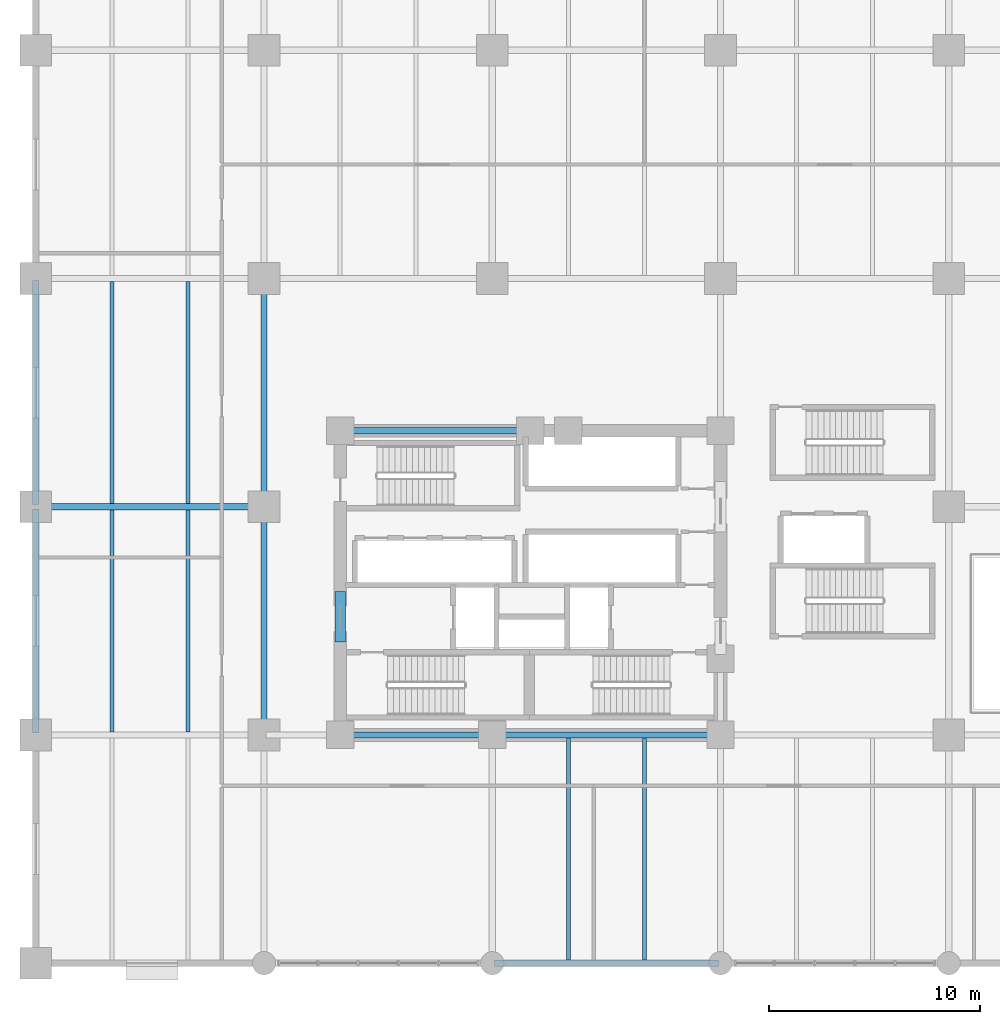
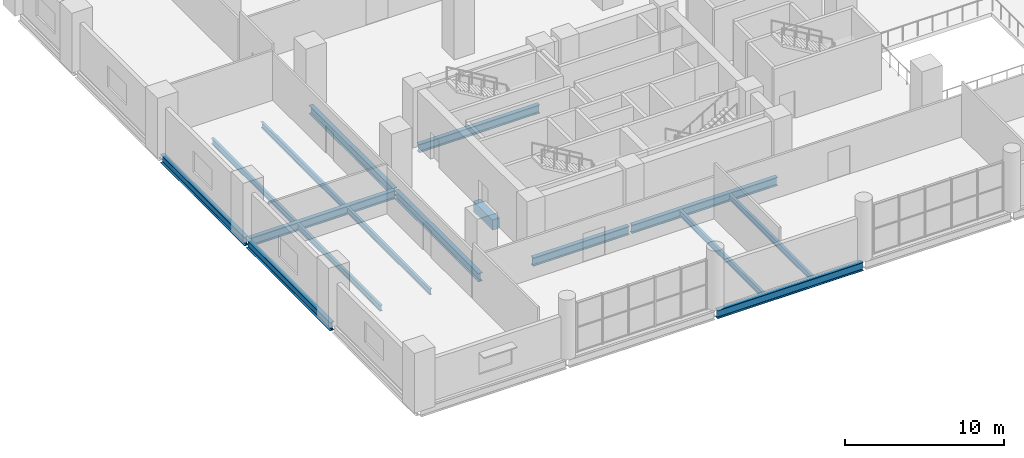
# One storey, part 4 of 16: 16 beams.
"""IFC4 building model written with IfcOpenShell, lengths in metres."""

from ifc_helpers import new_model, si_unit, direction, frame, origin, origin_2d, place, context, subcontext, project, spatial, rectangle, i_section, extrude, material, material_profile, profile_set, type_object, element, save


model = new_model("IFC4")

# Units and contexts
model_context = context("Model", 3, precision=1e-05, world=origin(), true_north=direction((0.0, 1.0)))
body_context = subcontext(model_context, "Body", "Model", "MODEL_VIEW")
ifc_project = project(units=[si_unit("LENGTHUNIT", "METRE"), si_unit("AREAUNIT", "SQUARE_METRE"), si_unit("VOLUMEUNIT", "CUBIC_METRE"), si_unit("PLANEANGLEUNIT", "RADIAN"), si_unit("MASSUNIT", "GRAM", prefix="KILO")], contexts=[model_context])

# Site, building, storey
site_placement = place(None, origin())
site = spatial("IfcSite", under=ifc_project, at=site_placement, CompositionType="ELEMENT")
building_placement = place(site_placement, origin())
building = spatial("IfcBuilding", under=site, at=building_placement, Name="Solnavia Interchange Tower", CompositionType="ELEMENT")
storey_placement = place(building_placement, frame((0.0, 0.0, 10.199951171875)))
storey = spatial("IfcBuildingStorey", under=building, at=storey_placement, Name="L02", CompositionType="ELEMENT", Elevation=10.199951171875)

# Beams
ifc_material_1 = material(Name="Concrete C50/60", Category="concrete")
ifc_material_profile_1 = material_profile(ifc_material_1, rectangle(XDim=0.5, YDim=0.800048828125, at=origin_2d()), Name="RC 500x800")
ifc_profile_set_1 = profile_set([ifc_material_profile_1], Name="Concrete C50/60")
beam_type_1 = type_object("IfcBeamType", Name="Beam-Coupling-RC500x800", PredefinedType="LINTEL", material=ifc_profile_set_1)
beam_1_placement = place(storey_placement, frame((14.39990234375, 15.199951171875, -0.39990234375), z_axis=(0.0, 1.0, 0.0), x_axis=(-1.0, 0.0, 0.0)))
element("IfcBeam", 1, at=beam_1_placement, inside=storey, type_object=beam_type_1, Name="CPB-L02-W1 Core coupling lintel beam", PredefinedType="LINTEL", context=body_context, shape_type="SweptSolid", body=[
    extrude(rectangle(XDim=0.5, YDim=0.800048828125, at=origin_2d()), origin(), (0.0, 0.0, 1.0), 2.400146484375),
])
ifc_material_2 = material(Name="Steel S460", Category="steel")
ifc_material_profile_2 = material_profile(ifc_material_2, i_section(OverallWidth=0.300048828125, OverallDepth=0.64990234375, WebThickness=0.01611328125, FlangeThickness=0.031005859375, FilletRadius=0.027099609375, at=origin_2d()), Name="HEB 650")
ifc_profile_set_2 = profile_set([ifc_material_profile_2], Name="Steel S460")
beam_type_2 = type_object("IfcBeamType", Name="Beam-Girder-HEB650", PredefinedType="BEAM", material=ifc_profile_set_2)
beam_2_placement = place(storey_placement, frame((21.699951171875, 0.0, -0.625), z_axis=(1.0, 0.0, 0.0), x_axis=(0.0, 1.0, 0.0)))
element("IfcBeam", 2, at=beam_2_placement, inside=storey, type_object=beam_type_2, Name="GRD-L02-03 Podium primary girder", PredefinedType="BEAM", context=body_context, shape_type="SweptSolid", body=[
    extrude(i_section(OverallWidth=0.300048828125, OverallDepth=0.64990234375, WebThickness=0.01611328125, FlangeThickness=0.031005859375, FilletRadius=0.027099609375, at=origin_2d()), origin(), (0.0, 0.0, 1.0), 10.60009765625),
])
beam_3_placement = place(storey_placement, frame((14.5, 10.800048828125, -0.625), z_axis=(1.0, 0.0, 0.0), x_axis=(0.0, 1.0, 0.0)))
element("IfcBeam", 3, at=beam_3_placement, inside=storey, type_object=beam_type_2, Name="GRD-L02-10 Podium primary girder", PredefinedType="BEAM", context=body_context, shape_type="SweptSolid", body=[
    extrude(i_section(OverallWidth=0.300048828125, OverallDepth=0.64990234375, WebThickness=0.01611328125, FlangeThickness=0.031005859375, FilletRadius=0.027099609375, at=origin_2d()), origin(), (0.0, 0.0, 1.0), 7.0),
])
beam_4_placement = place(storey_placement, frame((21.699951171875, 10.800048828125, -0.625), z_axis=(1.0, 0.0, 0.0), x_axis=(0.0, 1.0, 0.0)))
element("IfcBeam", 4, at=beam_4_placement, inside=storey, type_object=beam_type_2, Name="GRD-L02-11 Podium primary girder", PredefinedType="BEAM", context=body_context, shape_type="SweptSolid", body=[
    extrude(i_section(OverallWidth=0.300048828125, OverallDepth=0.64990234375, WebThickness=0.01611328125, FlangeThickness=0.031005859375, FilletRadius=0.027099609375, at=origin_2d()), origin(), (0.0, 0.0, 1.0), 10.60009765625),
])
beam_5_placement = place(storey_placement, frame((0.10009765625, 21.60009765625, -0.625), z_axis=(1.0, 0.0, 0.0), x_axis=(0.0, 1.0, 0.0)))
element("IfcBeam", 5, at=beam_5_placement, inside=storey, type_object=beam_type_2, Name="GRD-L02-17 Podium primary girder", PredefinedType="BEAM", context=body_context, shape_type="SweptSolid", body=[
    extrude(i_section(OverallWidth=0.300048828125, OverallDepth=0.64990234375, WebThickness=0.01611328125, FlangeThickness=0.031005859375, FilletRadius=0.027099609375, at=origin_2d()), origin(), (0.0, 0.0, 1.0), 10.599853515625),
])
beam_6_placement = place(storey_placement, frame((14.5, 25.199951171875, -0.625), z_axis=(1.0, 0.0, 0.0), x_axis=(0.0, 1.0, 0.0)))
element("IfcBeam", 6, at=beam_6_placement, inside=storey, type_object=beam_type_2, Name="GRD-L02-22 Podium primary girder", PredefinedType="BEAM", context=body_context, shape_type="SweptSolid", body=[
    extrude(i_section(OverallWidth=0.300048828125, OverallDepth=0.64990234375, WebThickness=0.01611328125, FlangeThickness=0.031005859375, FilletRadius=0.027099609375, at=origin_2d()), origin(), (0.0, 0.0, 1.0), 8.800048828125),
])
for number, where, z_axis, x_axis, name in (
    (7, (0.0, 10.89990234375, -0.625), (0.0, 1.0, 0.0), (-1.0, 0.0, 0.0), "GRD-L02-45 Podium primary girder"),
    (8, (0.0, 21.699951171875, -0.625), (0.0, 1.0, 0.0), (-1.0, 0.0, 0.0), "GRD-L02-46 Podium primary girder"),
    (9, (10.800048828125, 10.89990234375, -0.625), (0.0, 1.0, 0.0), (-1.0, 0.0, 0.0), "GRD-L02-50 Podium primary girder"),
    (10, (10.800048828125, 21.699951171875, -0.625), (0.0, 1.0, 0.0), (-1.0, 0.0, 0.0), "GRD-L02-51 Podium primary girder"),
):
    element("IfcBeam", number, at=place(storey_placement, frame(where, z_axis=z_axis, x_axis=x_axis)), inside=storey, type_object=beam_type_2, Name=name, PredefinedType="BEAM", context=body_context, shape_type="SweptSolid", body=[
        extrude(i_section(OverallWidth=0.300048828125, OverallDepth=0.64990234375, WebThickness=0.01611328125, FlangeThickness=0.031005859375, FilletRadius=0.027099609375, at=origin_2d()), origin(), (0.0, 0.0, 1.0), 10.60009765625),
    ])
ifc_material_3 = material(Name="Steel S355", Category="steel")
ifc_material_profile_3 = material_profile(ifc_material_3, i_section(OverallWidth=0.18994140625, OverallDepth=0.449951171875, WebThickness=0.009521484375, FlangeThickness=0.0146484375, FilletRadius=0.02099609375, at=origin_2d()), Name="IPE 450")
ifc_profile_set_3 = profile_set([ifc_material_profile_3], Name="Steel S355")
beam_type_3 = type_object("IfcBeamType", Name="Beam-Joist-IPE450", PredefinedType="JOIST", material=ifc_profile_set_3)
for number, where, z_axis, x_axis, name in (
    (11, (3.60009765625, 10.949951171875, -0.52490234375), (0.0, 1.0, 0.0), (-1.0, 0.0, 0.0), "JST-L02-02 Podium composite floor joist"),
    (12, (3.60009765625, 21.75, -0.52490234375), (0.0, 1.0, 0.0), (-1.0, 0.0, 0.0), "JST-L02-03 Podium composite floor joist"),
    (13, (7.199951171875, 10.949951171875, -0.52490234375), (0.0, 1.0, 0.0), (-1.0, 0.0, 0.0), "JST-L02-07 Podium composite floor joist"),
    (14, (7.199951171875, 21.75, -0.52490234375), (0.0, 1.0, 0.0), (-1.0, 0.0, 0.0), "JST-L02-08 Podium composite floor joist"),
    (15, (25.199951171875, 0.14990234375, -0.52490234375), (0.0, 1.0, 0.0), (-1.0, 0.0, 0.0), "JST-L02-15 Podium composite floor joist"),
    (16, (28.800048828125, 0.14990234375, -0.52490234375), (0.0, 1.0, 0.0), (-1.0, 0.0, 0.0), "JST-L02-18 Podium composite floor joist"),
):
    element("IfcBeam", number, at=place(storey_placement, frame(where, z_axis=z_axis, x_axis=x_axis)), inside=storey, type_object=beam_type_3, Name=name, PredefinedType="JOIST", context=body_context, shape_type="SweptSolid", body=[
        extrude(i_section(OverallWidth=0.18994140625, OverallDepth=0.449951171875, WebThickness=0.009521484375, FlangeThickness=0.0146484375, FilletRadius=0.02099609375, at=origin_2d()), origin(), (0.0, 0.0, 1.0), 10.5),
    ])

save(model, "model.ifc")
